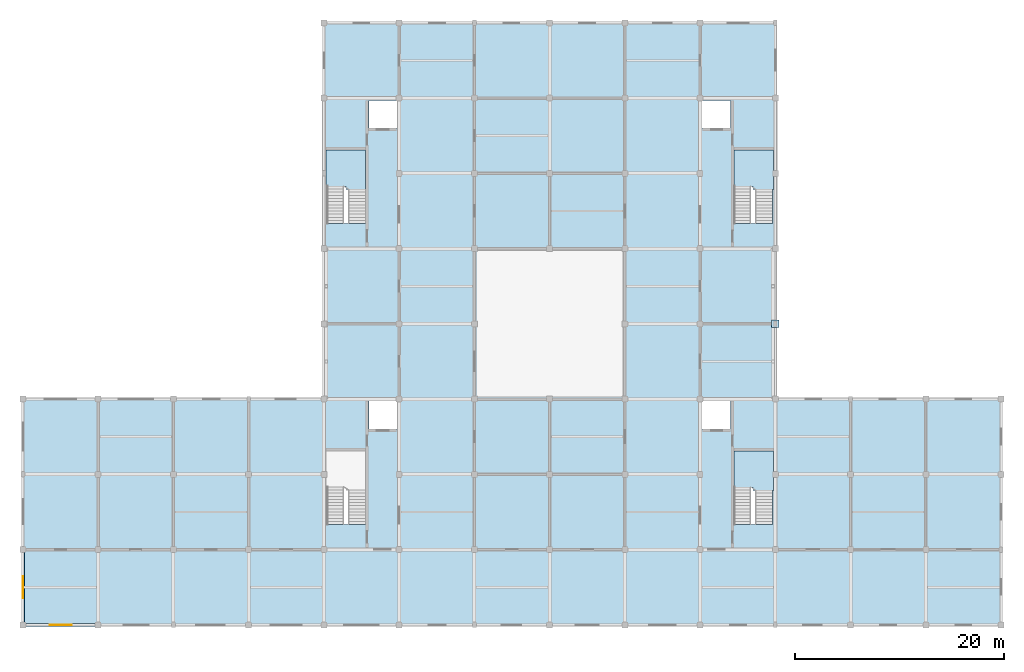
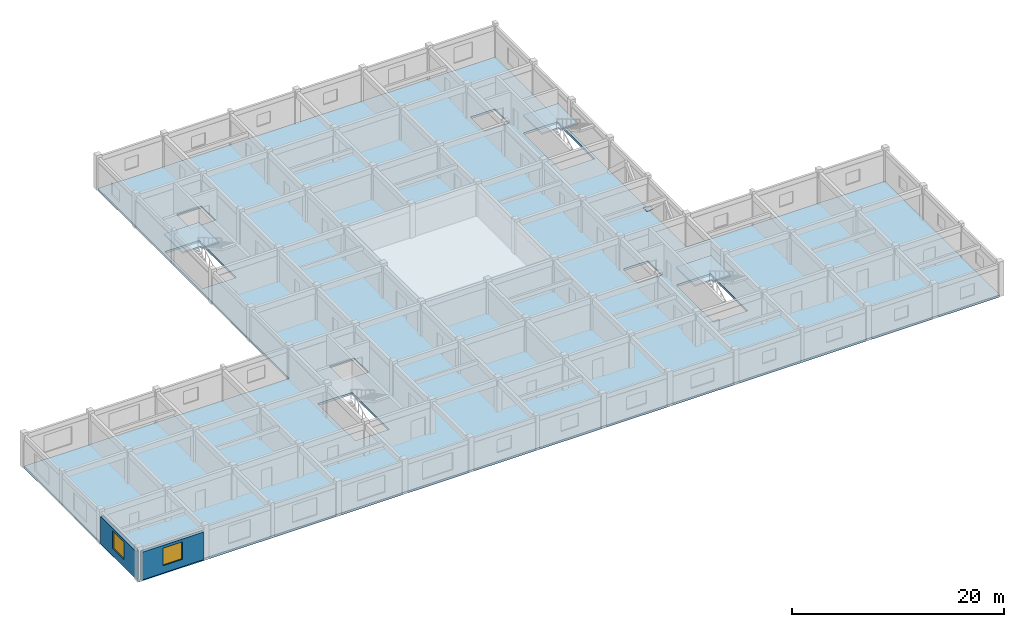
# One storey, part 4 of 10: 4 slabs, 2 walls, 2 windows, 1 plate, 2 openings, 3 elements without a shape of their own.
"""IFC4 building model written with IfcOpenShell, lengths in metres."""

from ifc_helpers import new_model, si_unit, direction, frame, frame_2d, origin, origin_2d, place, context, subcontext, project, spatial, polyline, rectangle, outline, extrude, material, layer, layer_set, type_object, element, fill, aggregate, save


model = new_model("IFC4")

# Units and contexts
model_context = context("Model", 3, precision=1e-05, world=origin(), true_north=direction((0.0, 1.0)))
body_context = subcontext(model_context, "Body", "Model", "MODEL_VIEW")
ifc_project = project(units=[si_unit("LENGTHUNIT", "METRE"), si_unit("AREAUNIT", "SQUARE_METRE"), si_unit("VOLUMEUNIT", "CUBIC_METRE"), si_unit("PLANEANGLEUNIT", "RADIAN"), si_unit("MASSUNIT", "GRAM", prefix="KILO")], contexts=[model_context])

# Site, building, storey
site_placement = place(None, origin())
site = spatial("IfcSite", under=ifc_project, at=site_placement, CompositionType="ELEMENT")
building_placement = place(site_placement, origin())
building = spatial("IfcBuilding", under=site, at=building_placement, Name="Cendaluz Park School", CompositionType="ELEMENT")
storey_placement = place(building_placement, frame((0.0, 0.0, 38.800048828125)))
storey = spatial("IfcBuildingStorey", under=building, at=storey_placement, Name="L09", CompositionType="ELEMENT", Elevation=38.800048828125)

# Plate
ifc_material_1 = material(Name="Steel S355", Category="steel")
ifc_layer_1 = layer(ifc_material_1, 0.030029296875)
ifc_layer_set_1 = layer_set([ifc_layer_1], Name="Steel S355")
plate_type = type_object("IfcPlateType", Name="GP-02", PredefinedType="SHEET", material=ifc_layer_set_1)
plate_placement = place(storey_placement, frame((108.0, 36.0, 0.0), z_axis=(0.0, 0.0, 1.0), x_axis=(1.0, 0.0, 0.0)))
element("IfcPlate", 1, at=plate_placement, inside=storey, type_object=plate_type, Name="GP-L09-BF01", PredefinedType="SHEET", context=body_context, shape_type="SweptSolid", body=[
    extrude(rectangle(XDim=0.699951171875, YDim=0.699951171875, at=origin_2d()), origin(), (0.0, 0.0, 1.0), 0.030029296875),
])

# Slab
ifc_material_2 = material(Name="Cross-laminated timber CLT C24", Category="wood")
ifc_layer_2 = layer(ifc_material_2, 0.239990234375)
ifc_layer_set_2 = layer_set([ifc_layer_2], Name="Cross-laminated timber CLT C24")
slab_type_1 = type_object("IfcSlabType", Name="SL-FL-240", PredefinedType="FLOOR", material=ifc_layer_set_2)
slab_1_placement = place(storey_placement, frame((0.0, 0.0, -0.239990234375)))
element("IfcSlab", 2, at=slab_1_placement, inside=storey, type_object=slab_type_1, Name="SL-L09-01", PredefinedType="FLOOR", context=body_context, shape_type="SweptSolid", body=[
    extrude(outline(polyline([(64.800048828125, 28.800048828125), (64.800048828125, 64.800048828125), (108.0, 64.800048828125), (108.0, 28.800048828125), (129.60009765625, 28.800048828125), (129.60009765625, 7.199951171875), (36.0, 7.199951171875), (36.0, 28.800048828125), (64.800048828125, 28.800048828125)]), holes=[polyline([(68.77001953125, 16.820068359375), (68.77001953125, 23.840087890625), (65.080078125, 23.840087890625), (65.080078125, 16.820068359375), (68.77001953125, 16.820068359375)]), polyline([(69.10009765625, 25.93994140625), (71.800048828125, 25.93994140625), (71.800048828125, 28.60009765625), (69.10009765625, 28.60009765625), (69.10009765625, 25.93994140625)]), polyline([(104.030029296875, 23.840087890625), (104.030029296875, 16.820068359375), (107.719970703125, 16.820068359375), (107.719970703125, 23.840087890625), (104.030029296875, 23.840087890625)]), polyline([(103.699951171875, 28.60009765625), (101.0, 28.60009765625), (101.0, 25.93994140625), (103.699951171875, 25.93994140625), (103.699951171875, 28.60009765625)]), polyline([(68.77001953125, 45.6201171875), (68.77001953125, 52.639892578125), (65.080078125, 52.639892578125), (65.080078125, 45.6201171875), (68.77001953125, 45.6201171875)]), polyline([(69.10009765625, 54.739990234375), (71.800048828125, 54.739990234375), (71.800048828125, 57.39990234375), (69.10009765625, 57.39990234375), (69.10009765625, 54.739990234375)]), polyline([(104.030029296875, 52.639892578125), (104.030029296875, 45.6201171875), (107.719970703125, 45.6201171875), (107.719970703125, 52.639892578125), (104.030029296875, 52.639892578125)]), polyline([(103.699951171875, 57.39990234375), (101.0, 57.39990234375), (101.0, 54.739990234375), (103.699951171875, 54.739990234375), (103.699951171875, 57.39990234375)])]), origin(), (0.0, 0.0, 1.0), 0.239990234375),
])

# Stair, slab
stair_type = type_object("IfcStairType", Name="ST-400-165", PredefinedType="HALF_TURN_STAIR", material=ifc_material_2)
stair_1_placement = place(storey_placement, origin())
stair_1 = element("IfcStair", 3, at=stair_1_placement, inside=storey, type_object=stair_type, Name="ST-L09-C2", PredefinedType="HALF_TURN_STAIR")
ifc_layer_3 = layer(ifc_material_2, 0.179931640625)
ifc_layer_set_3 = layer_set([ifc_layer_3], Name="Cross-laminated timber CLT C24")
slab_type_2 = type_object("IfcSlabType", Name="SL-LD-180", PredefinedType="LANDING", material=ifc_layer_set_3)
slab_2_placement = place(storey_placement, frame((0.0, 0.0, 1.89990234375)))
slab_2 = element("IfcSlab", 4, at=slab_2_placement, type_object=slab_type_2, Name="SL-LD-L09-C2", PredefinedType="LANDING", context=body_context, shape_type="SweptSolid", body=[
    extrude(outline(polyline([(104.030029296875, 20.360107421875), (105.875, 20.360107421875), (105.875, 20.06005859375), (107.81005859375, 20.06005859375), (107.81005859375, 23.860107421875), (104.030029296875, 23.860107421875), (104.030029296875, 20.360107421875)])), origin(), (0.0, 0.0, 1.0), 0.179931640625),
])
aggregate(stair_1, [slab_2])

stair_2_placement = place(storey_placement, origin())
stair_2 = element("IfcStair", 5, at=stair_2_placement, inside=storey, type_object=stair_type, Name="ST-L09-C3", PredefinedType="HALF_TURN_STAIR")
slab_3_placement = place(storey_placement, frame((0.0, 0.0, 1.89990234375)))
slab_3 = element("IfcSlab", 6, at=slab_3_placement, type_object=slab_type_2, Name="SL-LD-L09-C3", PredefinedType="LANDING", context=body_context, shape_type="SweptSolid", body=[
    extrude(outline(polyline([(64.989990234375, 49.159912109375), (66.925048828125, 49.159912109375), (66.925048828125, 48.860107421875), (68.77001953125, 48.860107421875), (68.77001953125, 52.659912109375), (64.989990234375, 52.659912109375), (64.989990234375, 49.159912109375)])), origin(), (0.0, 0.0, 1.0), 0.179931640625),
])
aggregate(stair_2, [slab_3])

stair_3_placement = place(storey_placement, origin())
stair_3 = element("IfcStair", 7, at=stair_3_placement, inside=storey, type_object=stair_type, Name="ST-L09-C4", PredefinedType="HALF_TURN_STAIR")
slab_4_placement = place(storey_placement, frame((0.0, 0.0, 1.89990234375)))
slab_4 = element("IfcSlab", 8, at=slab_4_placement, type_object=slab_type_2, Name="SL-LD-L09-C4", PredefinedType="LANDING", context=body_context, shape_type="SweptSolid", body=[
    extrude(outline(polyline([(104.030029296875, 49.159912109375), (105.875, 49.159912109375), (105.875, 48.860107421875), (107.81005859375, 48.860107421875), (107.81005859375, 52.659912109375), (104.030029296875, 52.659912109375), (104.030029296875, 49.159912109375)])), origin(), (0.0, 0.0, 1.0), 0.179931640625),
])
aggregate(stair_3, [slab_4])

# Wall, opening, window
ifc_layer_4 = layer(ifc_material_2, 0.300048828125)
ifc_layer_set_4 = layer_set([ifc_layer_4], Name="Cross-laminated timber CLT C24")
wall_type = type_object("IfcWallType", Name="W-EX30", PredefinedType="SOLIDWALL", material=ifc_layer_set_4)
wall_1_placement = place(storey_placement, frame((36.280029296875, 7.199951171875, 0.0), z_axis=(0.0, 0.0, 1.0), x_axis=(1.0, 0.0, 0.0)))
wall_1 = element("IfcWall", 9, at=wall_1_placement, inside=storey, type_object=wall_type, Name="WL-FJ-AA0", PredefinedType="SOLIDWALL", context=body_context, shape_type="SweptSolid", body=[
    extrude(rectangle(XDim=6.639892578125, YDim=0.300048828125, at=frame_2d((3.31982421875, 0.0))), origin(), (0.0, 0.0, 1.0), 3.169921875),
])
opening_1_placement = place(wall_1_placement, frame((2.27001953125, 0.0, 0.85009765625)))
opening_1 = element("IfcOpeningElement", 10, at=opening_1_placement, cuts=wall_1, Name="Opening WN-11", PredefinedType="OPENING", context=body_context, shape_type="SweptSolid", body=[
    extrude(rectangle(XDim=2.10009765625, YDim=2.0, at=frame_2d((1.050048828125, 1.0))), frame((0.0, 0.162109375, 0.0), z_axis=(0.0, -1.0, 0.0), x_axis=(1.0, 0.0, 0.0)), (0.0, 0.0, 1.0), 0.323974609375),
])
ifc_material_3 = material(Name="Tempered Low-E Double Glazing", Category="glass")
window_type = type_object("IfcWindowType", Name="WN-11", PartitioningType="SINGLE_PANEL", PredefinedType="WINDOW", material=ifc_material_3)
window_1_placement = place(opening_1_placement, origin())
window_1 = element("IfcWindow", 11, at=window_1_placement, inside=storey, type_object=window_type, Name="WN-L09-001", OverallHeight=2.0, OverallWidth=2.10009765625, PartitioningType="SINGLE_PANEL", PredefinedType="WINDOW", context=body_context, shape_type="SweptSolid", body=[
    extrude(rectangle(XDim=2.10009765625, YDim=2.0, at=frame_2d((1.050048828125, 1.0))), frame((0.0, 0.030029296875, 0.0), z_axis=(0.0, -1.0, 0.0), x_axis=(1.0, 0.0, 0.0)), (0.0, 0.0, 1.0), 0.06005859375),
])
fill(opening_1, window_1)

wall_2_placement = place(storey_placement, frame((36.0, 7.47998046875, 0.0), z_axis=(0.0, 0.0, 1.0), x_axis=(0.0, 1.0, 0.0)))
wall_2 = element("IfcWall", 12, at=wall_2_placement, inside=storey, type_object=wall_type, Name="WL-FJ-AA1", PredefinedType="SOLIDWALL", context=body_context, shape_type="SweptSolid", body=[
    extrude(rectangle(XDim=6.64013671875, YDim=0.300048828125, at=frame_2d((3.320068359375, 0.0))), origin(), (0.0, 0.0, 1.0), 3.169921875),
])
opening_2_placement = place(wall_2_placement, frame((2.27001953125, 0.0, 0.85009765625)))
opening_2 = element("IfcOpeningElement", 13, at=opening_2_placement, cuts=wall_2, Name="Opening WN-11", PredefinedType="OPENING", context=body_context, shape_type="SweptSolid", body=[
    extrude(rectangle(XDim=2.10009765625, YDim=2.0, at=frame_2d((1.050048828125, 1.0))), frame((0.0, 0.162109375, 0.0), z_axis=(0.0, -1.0, 0.0), x_axis=(1.0, 0.0, 0.0)), (0.0, 0.0, 1.0), 0.323974609375),
])
window_2_placement = place(opening_2_placement, origin())
window_2 = element("IfcWindow", 14, at=window_2_placement, inside=storey, type_object=window_type, Name="WN-L09-002", OverallHeight=2.0, OverallWidth=2.10009765625, PartitioningType="SINGLE_PANEL", PredefinedType="WINDOW", context=body_context, shape_type="SweptSolid", body=[
    extrude(rectangle(XDim=2.10009765625, YDim=2.0, at=frame_2d((1.050048828125, 1.0))), frame((0.0, 0.030029296875, 0.0), z_axis=(0.0, -1.0, 0.0), x_axis=(1.0, 0.0, 0.0)), (0.0, 0.0, 1.0), 0.06005859375),
])
fill(opening_2, window_2)

save(model, "model.ifc")
